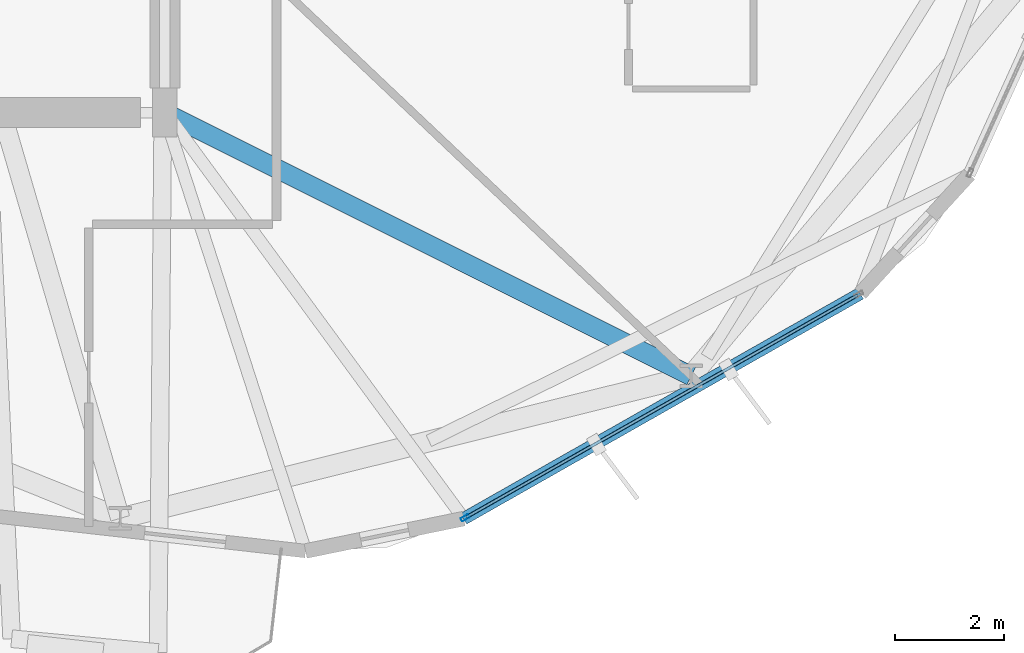
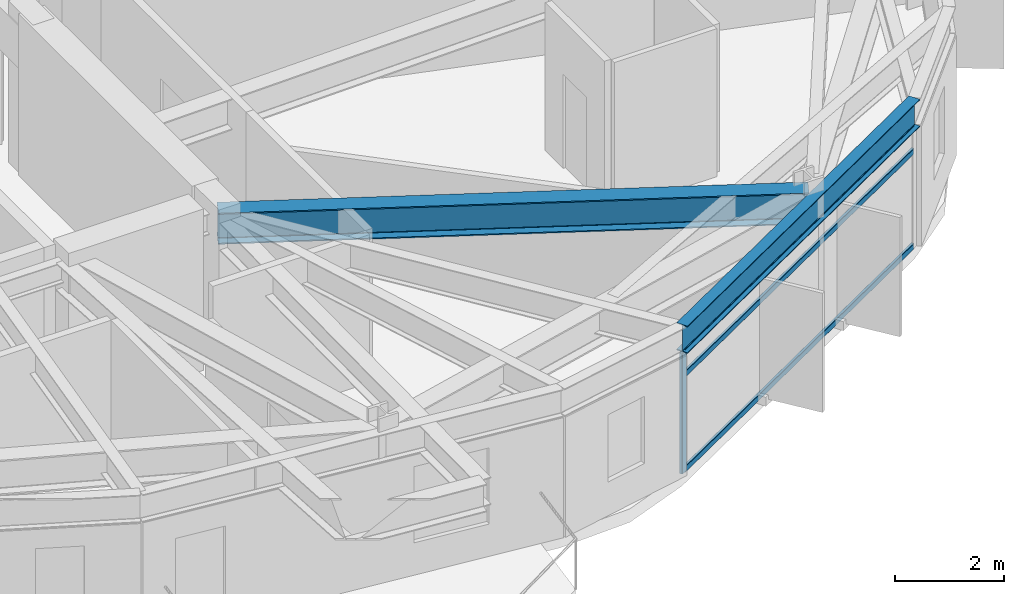
# One storey, part 5 of 22: 4 members, 2 beams, 1 element without a shape of its own.
"""IFC4 building model written with IfcOpenShell, lengths in metres."""

from ifc_helpers import new_model, si_unit, direction, frame, origin, origin_2d, place, context, subcontext, project, spatial, hollow_rectangle, i_section, extrude, material, layer, layer_set, material_profile, profile_set, type_object, element, aggregate, save


model = new_model("IFC4")

# Units and contexts
model_context = context("Model", 3, precision=1e-05, world=origin(), true_north=direction((0.0, 1.0)))
body_context = subcontext(model_context, "Body", "Model", "MODEL_VIEW")
ifc_project = project(units=[si_unit("LENGTHUNIT", "METRE"), si_unit("AREAUNIT", "SQUARE_METRE"), si_unit("VOLUMEUNIT", "CUBIC_METRE"), si_unit("PLANEANGLEUNIT", "RADIAN"), si_unit("MASSUNIT", "GRAM", prefix="KILO")], contexts=[model_context])

# Site, building, storey
site_placement = place(None, origin())
site = spatial("IfcSite", under=ifc_project, at=site_placement, CompositionType="ELEMENT")
building_placement = place(site_placement, origin())
building = spatial("IfcBuilding", under=site, at=building_placement, Name="Soratama Intermodal Tower", CompositionType="ELEMENT")
storey_placement = place(building_placement, frame((0.0, 0.0, 142.60009765625)))
storey = spatial("IfcBuildingStorey", under=building, at=storey_placement, Name="L34", CompositionType="ELEMENT", Elevation=142.60009765625)

# Beams
ifc_material_1 = material(Name="Structural steel ASTM A992 Grade 50", Category="steel")
ifc_material_profile_1 = material_profile(ifc_material_1, i_section(OverallWidth=0.35498046875, OverallDepth=0.695068359375, WebThickness=0.015380859375, FlangeThickness=0.02490234375, FilletRadius=0.01611328125, at=origin_2d()), Name="W27X146")
ifc_profile_set_1 = profile_set([ifc_material_profile_1], Name="Structural steel ASTM A992 Grade 50")
beam_type_1 = type_object("IfcBeamType", Name="BM-RING-W27X146", PredefinedType="BEAM", material=ifc_profile_set_1)
beam_1_placement = place(storey_placement, frame((44.60009765625, 15.0, 2.952392578125), z_axis=(0.894273669201, -0.447520507434, 0.0), x_axis=(0.447520507434, 0.894273669201, 0.0)))
element("IfcBeam", 1, at=beam_1_placement, inside=storey, type_object=beam_type_1, Name="BM-L34-RAD-09", PredefinedType="BEAM", context=body_context, shape_type="SweptSolid", body=[
    extrude(i_section(OverallWidth=0.35498046875, OverallDepth=0.695068359375, WebThickness=0.015380859375, FlangeThickness=0.02490234375, FilletRadius=0.01611328125, at=origin_2d()), origin(), (0.0, 0.0, 1.0), 10.817626953125),
])
ifc_material_2 = material(Name="Structural steel ASTM A992 Grade 50", Category="steel")
ifc_material_profile_2 = material_profile(ifc_material_2, i_section(OverallWidth=0.22900390625, OverallDepth=0.612060546875, WebThickness=0.011962890625, FlangeThickness=0.01953125, FilletRadius=0.012939453125, at=origin_2d()), Name="W24X84")
ifc_profile_set_2 = profile_set([ifc_material_profile_2], Name="Structural steel ASTM A992 Grade 50")
beam_type_2 = type_object("IfcBeamType", Name="BM-SPN-W24X84", PredefinedType="SPANDREL", material=ifc_profile_set_2)
beam_2_placement = place(storey_placement, frame((50.092041015625, 7.537109375, 2.993896484375), z_axis=(0.86969638927, 0.493587064752, 0.0), x_axis=(-0.493587064752, 0.86969638927, 0.0)))
element("IfcBeam", 2, at=beam_2_placement, inside=storey, type_object=beam_type_2, Name="BS-L34-F08", PredefinedType="SPANDREL", context=body_context, shape_type="SweptSolid", body=[
    extrude(i_section(OverallWidth=0.22900390625, OverallDepth=0.612060546875, WebThickness=0.011962890625, FlangeThickness=0.01953125, FilletRadius=0.012939453125, at=origin_2d()), origin(), (0.0, 0.0, 1.0), 8.38330078125),
])

# Curtain wall, members
ifc_material_3 = material(Name="Double-glazed aluminium curtain wall", Category="aluminium")
ifc_layer = layer(ifc_material_3, 0.159912109375)
ifc_layer_set = layer_set([ifc_layer], Name="Double-glazed aluminium curtain wall")
curtain_wall_type = type_object("IfcCurtainWallType", Name="CW-SYS-4", PredefinedType="NOTDEFINED", material=ifc_layer_set)
curtain_wall_placement = place(storey_placement, origin())
curtain_wall = element("IfcCurtainWall", 3, at=curtain_wall_placement, inside=storey, type_object=curtain_wall_type, Name="L34 Faceted Curtain Wall F08", PredefinedType="NOTDEFINED")
ifc_material_4 = material(Name="Anodised aluminium AA 6063-T6", Category="aluminium")
ifc_material_profile_3 = material_profile(ifc_material_4, hollow_rectangle(XDim=0.070068359375, YDim=0.159912109375, WallThickness=0.0048828125, InnerFilletRadius=0.0048828125, OuterFilletRadius=0.010009765625, at=origin_2d()), Name="CWM160X70X5")
ifc_profile_set_3 = profile_set([ifc_material_profile_3], Name="Anodised aluminium AA 6063-T6")
member_type_1 = type_object("IfcMemberType", Name="MT-CWM-4", PredefinedType="MULLION", material=ifc_profile_set_3)
member_1_placement = place(storey_placement, frame((50.118408203125, 7.5517578125, 0.0), z_axis=(0.0, 0.0, 1.0), x_axis=(-0.493639656351, 0.869666539357, 0.0)))
member_1 = element("IfcMember", 4, at=member_1_placement, type_object=member_type_1, Name="CW-4 mullion 1", PredefinedType="MULLION", context=body_context, shape_type="SweptSolid", body=[
    extrude(hollow_rectangle(XDim=0.070068359375, YDim=0.159912109375, WallThickness=0.0048828125, InnerFilletRadius=0.0048828125, OuterFilletRadius=0.010009765625, at=origin_2d()), origin(), (0.0, 0.0, 1.0), 2.678955078125),
])
ifc_material_5 = material(Name="Anodised aluminium AA 6063-T6", Category="aluminium")
ifc_material_profile_4 = material_profile(ifc_material_5, hollow_rectangle(XDim=0.06005859375, YDim=0.1298828125, WallThickness=0.0048828125, InnerFilletRadius=0.0048828125, OuterFilletRadius=0.010009765625, at=origin_2d()), Name="CWT130X60X5")
ifc_profile_set_4 = profile_set([ifc_material_profile_4], Name="Anodised aluminium AA 6063-T6")
member_type_2 = type_object("IfcMemberType", Name="TT-CWT-2", PredefinedType="USERDEFINED", material=ifc_profile_set_4)
member_2_placement = place(storey_placement, frame((50.14453125, 7.566650390625, 0.02978515625), z_axis=(0.869672203636, 0.49362967721, 0.0), x_axis=(-0.49362967721, 0.869672203636, 0.0)))
member_2 = element("IfcMember", 5, at=member_2_placement, type_object=member_type_2, Name="CW-4 transom 1.1", ObjectType="TRANSOM", PredefinedType="USERDEFINED", context=body_context, shape_type="SweptSolid", body=[
    extrude(hollow_rectangle(XDim=0.06005859375, YDim=0.1298828125, WallThickness=0.0048828125, InnerFilletRadius=0.0048828125, OuterFilletRadius=0.010009765625, at=origin_2d()), origin(), (0.0, 0.0, 1.0), 8.263427734375),
])
member_3_placement = place(storey_placement, frame((50.14453125, 7.566650390625, 2.14990234375), z_axis=(0.869672203636, 0.49362967721, 0.0), x_axis=(-0.49362967721, 0.869672203636, 0.0)))
member_3 = element("IfcMember", 6, at=member_3_placement, type_object=member_type_2, Name="CW-4 transom 1.2", ObjectType="TRANSOM", PredefinedType="USERDEFINED", context=body_context, shape_type="SweptSolid", body=[
    extrude(hollow_rectangle(XDim=0.06005859375, YDim=0.1298828125, WallThickness=0.0048828125, InnerFilletRadius=0.0048828125, OuterFilletRadius=0.010009765625, at=origin_2d()), origin(), (0.0, 0.0, 1.0), 8.263427734375),
])
member_4_placement = place(storey_placement, frame((50.14453125, 7.566650390625, 2.64892578125), z_axis=(0.869672203636, 0.49362967721, 0.0), x_axis=(-0.49362967721, 0.869672203636, 0.0)))
member_4 = element("IfcMember", 7, at=member_4_placement, type_object=member_type_2, Name="CW-4 transom 1.3", ObjectType="TRANSOM", PredefinedType="USERDEFINED", context=body_context, shape_type="SweptSolid", body=[
    extrude(hollow_rectangle(XDim=0.06005859375, YDim=0.1298828125, WallThickness=0.0048828125, InnerFilletRadius=0.0048828125, OuterFilletRadius=0.010009765625, at=origin_2d()), origin(), (0.0, 0.0, 1.0), 8.263427734375),
])
aggregate(curtain_wall, [member_1, member_2, member_3, member_4])

save(model, "model.ifc")
